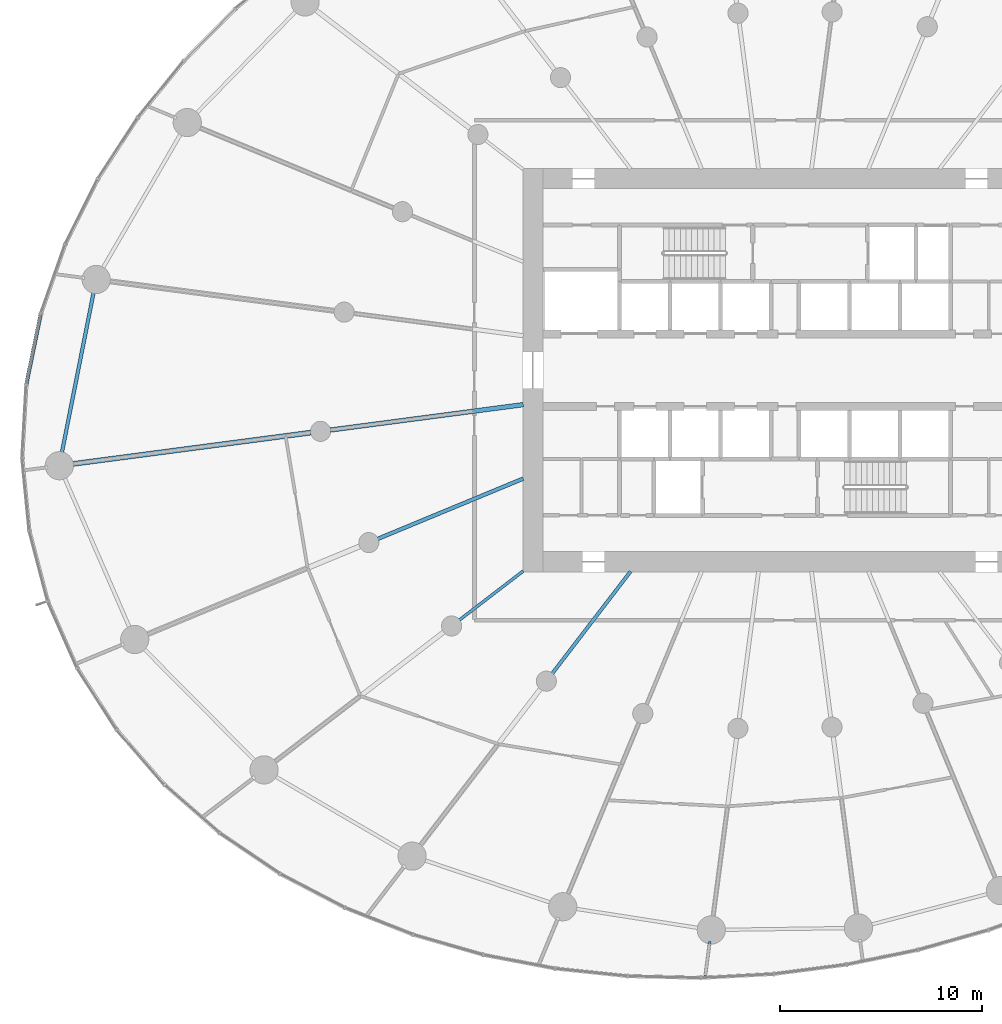
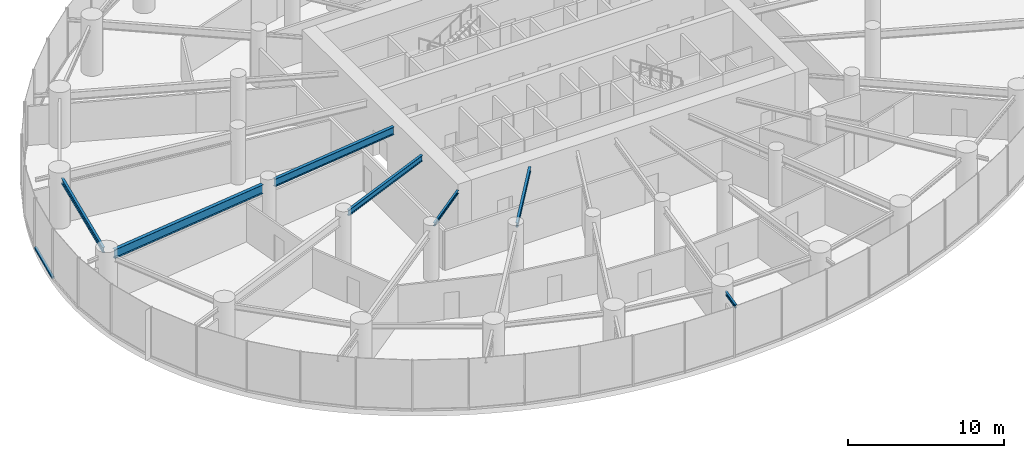
# One storey, part 3 of 18: 7 beams, 1 member, 1 element without a shape of its own.
"""IFC4 building model written with IfcOpenShell, lengths in metres."""

from ifc_helpers import new_model, si_unit, direction, frame, origin, origin_2d, place, context, subcontext, project, spatial, rectangle, i_section, extrude, source, transform, mapped, material, layer, layer_set, material_profile, profile_set, type_object, element, aggregate, save


model = new_model("IFC4")

# Units and contexts
model_context = context("Model", 3, precision=1e-05, world=origin(), true_north=direction((0.0, 1.0)))
body_context = subcontext(model_context, "Body", "Model", "MODEL_VIEW")
ifc_project = project(units=[si_unit("LENGTHUNIT", "METRE"), si_unit("AREAUNIT", "SQUARE_METRE"), si_unit("VOLUMEUNIT", "CUBIC_METRE"), si_unit("PLANEANGLEUNIT", "RADIAN"), si_unit("MASSUNIT", "GRAM", prefix="KILO")], contexts=[model_context])

# Site, building, storey
site_placement = place(None, origin())
site = spatial("IfcSite", under=ifc_project, at=site_placement, CompositionType="ELEMENT")
building_placement = place(site_placement, origin())
building = spatial("IfcBuilding", under=site, at=building_placement, Name="Spindrift Exchange Tower", CompositionType="ELEMENT")
storey_placement = place(building_placement, frame((0.0, 0.0, 66.60009765625)))
storey = spatial("IfcBuildingStorey", under=building, at=storey_placement, Name="L15", CompositionType="ELEMENT", Elevation=66.60009765625)

# Beams
ifc_material_1 = material(Name="Steel Grade 300", Category="steel")
ifc_material_profile_1 = material_profile(ifc_material_1, i_section(OverallWidth=0.22802734375, OverallDepth=0.60693359375, WebThickness=0.01123046875, FlangeThickness=0.017333984375, FilletRadius=0.013916015625, at=origin_2d()), Name="610UB113")
ifc_profile_set_1 = profile_set([ifc_material_profile_1], Name="Steel Grade 300")
beam_type_1 = type_object("IfcBeamType", Name="Floor Beam 610UB113 Steel Grade 300", PredefinedType="BEAM", material=ifc_profile_set_1)
shared_shape_1 = source(origin(), body_context, "Body", "SweptSolid", [
    extrude(i_section(OverallWidth=0.22802734375, OverallDepth=0.60693359375, WebThickness=0.01123046875, FlangeThickness=0.017333984375, FilletRadius=0.013916015625, at=origin_2d()), origin(), (0.0, 0.0, 1.0), 9.660400390625),
])
beam_1_placement = place(storey_placement, frame((39.019775390625, 46.291015625, 3.646484375), z_axis=(-0.99144767089, -0.130504850054, 0.0), x_axis=(0.130504850054, -0.99144767089, 0.0)))
element("IfcBeam", 1, at=beam_1_placement, inside=storey, type_object=beam_type_1, Name="L15 radial beam R13A", PredefinedType="BEAM", context=body_context, shape_type="MappedRepresentation", body=[
    mapped(shared_shape_1, transform((0.0, 0.0, 0.0), scale=1.0)),
])
ifc_material_profile_2 = material_profile(ifc_material_1, i_section(OverallWidth=0.25, OverallDepth=0.699951171875, WebThickness=0.008056640625, FlangeThickness=0.011962890625, at=origin_2d()), Name="700WB115")
ifc_profile_set_2 = profile_set([ifc_material_profile_2], Name="Steel Grade 300")
beam_type_2 = type_object("IfcBeamType", Name="Floor Beam 700WB115 Steel Grade 300", PredefinedType="BEAM", material=ifc_profile_set_2)
shared_shape_2 = source(origin(), body_context, "Body", "SweptSolid", [
    extrude(i_section(OverallWidth=0.25, OverallDepth=0.699951171875, WebThickness=0.008056640625, FlangeThickness=0.011962890625, at=origin_2d()), origin(), (0.0, 0.0, 1.0), 12.00830078125),
])
beam_2_placement = place(storey_placement, frame((28.490234375, 44.90478515625, 3.599853515625), z_axis=(-0.991444950947, -0.130525511844, 0.0), x_axis=(0.130525511844, -0.991444950947, 0.0)))
element("IfcBeam", 2, at=beam_2_placement, inside=storey, type_object=beam_type_2, Name="L15 radial beam R13B", PredefinedType="BEAM", context=body_context, shape_type="MappedRepresentation", body=[
    mapped(shared_shape_2, transform((0.0, 0.0, 0.0), scale=1.0)),
])
ifc_material_profile_3 = material_profile(ifc_material_1, i_section(OverallWidth=0.18994140625, OverallDepth=0.45703125, WebThickness=0.009033203125, FlangeThickness=0.014404296875, FilletRadius=0.013916015625, at=origin_2d()), Name="460UB74.6")
ifc_profile_set_3 = profile_set([ifc_material_profile_3], Name="Steel Grade 300")
beam_type_3 = type_object("IfcBeamType", Name="Floor Beam 460UB74.6 Steel Grade 300", PredefinedType="BEAM", material=ifc_profile_set_3)
shared_shape_3 = source(origin(), body_context, "Body", "SweptSolid", [
    extrude(i_section(OverallWidth=0.18994140625, OverallDepth=0.45703125, WebThickness=0.009033203125, FlangeThickness=0.014404296875, FilletRadius=0.013916015625, at=origin_2d()), origin(), (0.0, 0.0, 1.0), 7.808837890625),
])
beam_3_placement = place(storey_placement, frame((39.0185546875, 42.622802734375, 3.721435546875), z_axis=(-0.92387965154, -0.382683145003, 0.0), x_axis=(0.382683145003, -0.92387965154, 0.0)))
element("IfcBeam", 3, at=beam_3_placement, inside=storey, type_object=beam_type_3, Name="L15 radial beam R14A", PredefinedType="BEAM", context=body_context, shape_type="MappedRepresentation", body=[
    mapped(shared_shape_3, transform((0.0, 0.0, 0.0), scale=1.0)),
])
ifc_material_profile_4 = material_profile(ifc_material_1, i_section(OverallWidth=0.14599609375, OverallDepth=0.251953125, WebThickness=0.006103515625, FlangeThickness=0.008544921875, FilletRadius=0.011962890625, at=origin_2d()), Name="250UB31.4")
ifc_profile_set_4 = profile_set([ifc_material_profile_4], Name="Steel Grade 300")
beam_type_4 = type_object("IfcBeamType", Name="Floor Beam 250UB31.4 Steel Grade 300", PredefinedType="BEAM", material=ifc_profile_set_4)
shared_shape_4 = source(origin(), body_context, "Body", "SweptSolid", [
    extrude(i_section(OverallWidth=0.14599609375, OverallDepth=0.251953125, WebThickness=0.006103515625, FlangeThickness=0.008544921875, FilletRadius=0.011962890625, at=origin_2d()), origin(), (0.0, 0.0, 1.0), 3.99560546875),
])
beam_4_placement = place(storey_placement, frame((39.015869140625, 38.036865234375, 3.823974609375), z_axis=(-0.793352561574, -0.608762443851, 0.0), x_axis=(0.608762443851, -0.793352561574, 0.0)))
element("IfcBeam", 4, at=beam_4_placement, inside=storey, type_object=beam_type_4, Name="L15 radial beam R15A", PredefinedType="BEAM", context=body_context, shape_type="MappedRepresentation", body=[
    mapped(shared_shape_4, transform((0.0, 0.0, 0.0), scale=1.0)),
])
ifc_material_profile_5 = material_profile(ifc_material_1, i_section(OverallWidth=0.172119140625, OverallDepth=0.35888671875, WebThickness=0.008056640625, FlangeThickness=0.012939453125, FilletRadius=0.013916015625, at=origin_2d()), Name="360UB56.7")
ifc_profile_set_5 = profile_set([ifc_material_profile_5], Name="Steel Grade 300")
beam_type_5 = type_object("IfcBeamType", Name="Floor Beam 360UB56.7 Steel Grade 300", PredefinedType="BEAM", material=ifc_profile_set_5)
shared_shape_5 = source(origin(), body_context, "Body", "SweptSolid", [
    extrude(i_section(OverallWidth=0.172119140625, OverallDepth=0.35888671875, WebThickness=0.008056640625, FlangeThickness=0.012939453125, FilletRadius=0.013916015625, at=origin_2d()), origin(), (0.0, 0.0, 1.0), 6.37646484375),
])
beam_5_placement = place(storey_placement, frame((44.3388671875, 38.015869140625, 3.7705078125), z_axis=(-0.608766669952, -0.793349318747, 0.0), x_axis=(0.793349318747, -0.608766669952, 0.0)))
element("IfcBeam", 5, at=beam_5_placement, inside=storey, type_object=beam_type_5, Name="L15 radial beam R16A", PredefinedType="BEAM", context=body_context, shape_type="MappedRepresentation", body=[
    mapped(shared_shape_5, transform((0.0, 0.0, 0.0), scale=1.0)),
])
ifc_material_profile_6 = material_profile(ifc_material_1, i_section(OverallWidth=0.177978515625, OverallDepth=0.406005859375, WebThickness=0.0078125, FlangeThickness=0.0126953125, FilletRadius=0.013916015625, at=origin_2d()), Name="410UB59.7")
ifc_profile_set_6 = profile_set([ifc_material_profile_6], Name="Steel Grade 300")
beam_type_6 = type_object("IfcBeamType", Name="Edge Beam 410UB59.7 Steel Grade 300", PredefinedType="SPANDREL", material=ifc_profile_set_6)
shared_shape_6 = source(origin(), body_context, "Body", "SweptSolid", [
    extrude(i_section(OverallWidth=0.177978515625, OverallDepth=0.406005859375, WebThickness=0.0078125, FlangeThickness=0.0126953125, FilletRadius=0.013916015625, at=origin_2d()), origin(), (0.0, 0.0, 1.0), 8.2548828125),
])
beam_6_placement = place(storey_placement, frame((17.72607421875, 51.928466796875, 3.746826171875), z_axis=(-0.194278723288, -0.9809463684, 0.0), x_axis=(0.9809463684, -0.194278723288, 0.0)))
element("IfcBeam", 6, at=beam_6_placement, inside=storey, type_object=beam_type_6, Name="L15 edge beam E12", PredefinedType="SPANDREL", context=body_context, shape_type="MappedRepresentation", body=[
    mapped(shared_shape_6, transform((0.0, 0.0, 0.0), scale=1.0)),
])
ifc_material_profile_7 = material_profile(ifc_material_1, i_section(OverallWidth=0.14599609375, OverallDepth=0.251953125, WebThickness=0.006103515625, FlangeThickness=0.008544921875, FilletRadius=0.011962890625, at=origin_2d()), Name="250UB31.4")
ifc_profile_set_7 = profile_set([ifc_material_profile_7], Name="Steel Grade 300")
beam_type_7 = type_object("IfcBeamType", Name="Cantilever Beam 250UB31.4 Steel Grade 300", PredefinedType="BEAM", material=ifc_profile_set_7)
shared_shape_7 = source(origin(), body_context, "Body", "SweptSolid", [
    extrude(i_section(OverallWidth=0.14599609375, OverallDepth=0.251953125, WebThickness=0.006103515625, FlangeThickness=0.008544921875, FilletRadius=0.011962890625, at=origin_2d()), origin(), (0.0, 0.0, 1.0), 1.72998046875),
])
beam_7_placement = place(storey_placement, frame((48.269287109375, 19.66357421875, 3.823974609375), z_axis=(-0.130407051709, -0.991460539237, 0.0), x_axis=(0.991460539237, -0.130407051709, 0.0)))
element("IfcBeam", 7, at=beam_7_placement, inside=storey, type_object=beam_type_7, Name="L15 cantilever beam R18T", PredefinedType="BEAM", context=body_context, shape_type="MappedRepresentation", body=[
    mapped(shared_shape_7, transform((0.0, 0.0, 0.0), scale=1.0)),
])

# Curtain wall, member
ifc_material_2 = material(Name="Fritted laminated glass with bronze frame", Category="glass")
ifc_layer = layer(ifc_material_2, 0.199951171875)
ifc_layer_set = layer_set([ifc_layer], Name="ZONE 1 BRONZE FRITTED WALL")
curtain_wall_type = type_object("IfcCurtainWallType", Name="ZONE 1 BRONZE FRITTED WALL", PredefinedType="NOTDEFINED", material=ifc_layer_set)
curtain_wall_placement = place(storey_placement, origin())
curtain_wall = element("IfcCurtainWall", 8, at=curtain_wall_placement, inside=storey, type_object=curtain_wall_type, Name="L15 Zone 1 Bronze Fritted Wall run 5", PredefinedType="NOTDEFINED")
ifc_material_3 = material(Name="Bronze anodised aluminium", Category="aluminium")
ifc_material_profile_8 = material_profile(ifc_material_3, rectangle(XDim=0.179931640625, YDim=0.14990234375, at=origin_2d()), Name="ZONE 1 BRONZE FRITTED WALL TRANSOM 180X150")
ifc_profile_set_8 = profile_set([ifc_material_profile_8], Name="Bronze anodised aluminium")
member_type = type_object("IfcMemberType", Name="ZONE 1 BRONZE FRITTED WALL TRANSOM 180X150", PredefinedType="USERDEFINED", material=ifc_profile_set_8)
shared_shape_8 = source(origin(), body_context, "Body", "SweptSolid", [
    extrude(rectangle(XDim=0.179931640625, YDim=0.14990234375, at=origin_2d()), origin(), (0.0, 0.0, 1.0), 3.545166015625),
])
member_placement = place(storey_placement, frame((15.087646484375, 50.7802734375, 0.074951171875), z_axis=(-0.201093260288, -0.979572100801, 0.0), x_axis=(0.979572100801, -0.201093260288, 0.0)))
member = element("IfcMember", 9, at=member_placement, type_object=member_type, Name="L15 transom CW-1.27", ObjectType="TRANSOM", PredefinedType="USERDEFINED", context=body_context, shape_type="MappedRepresentation", body=[
    mapped(shared_shape_8, transform((0.0, 0.0, 0.0), scale=1.0)),
])
aggregate(curtain_wall, [member])

save(model, "model.ifc")
